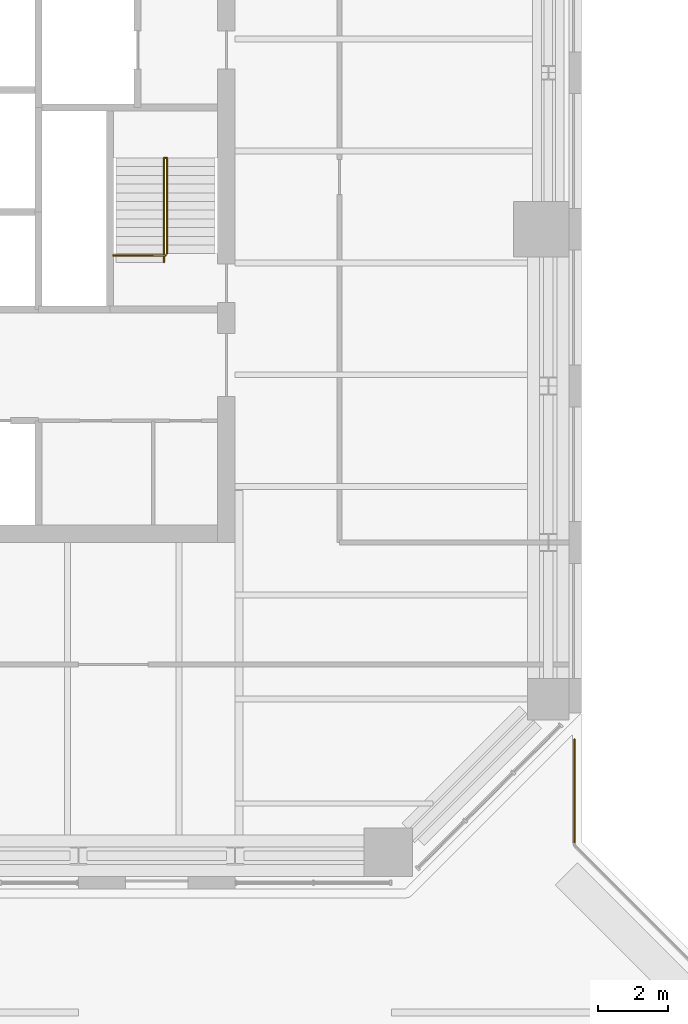
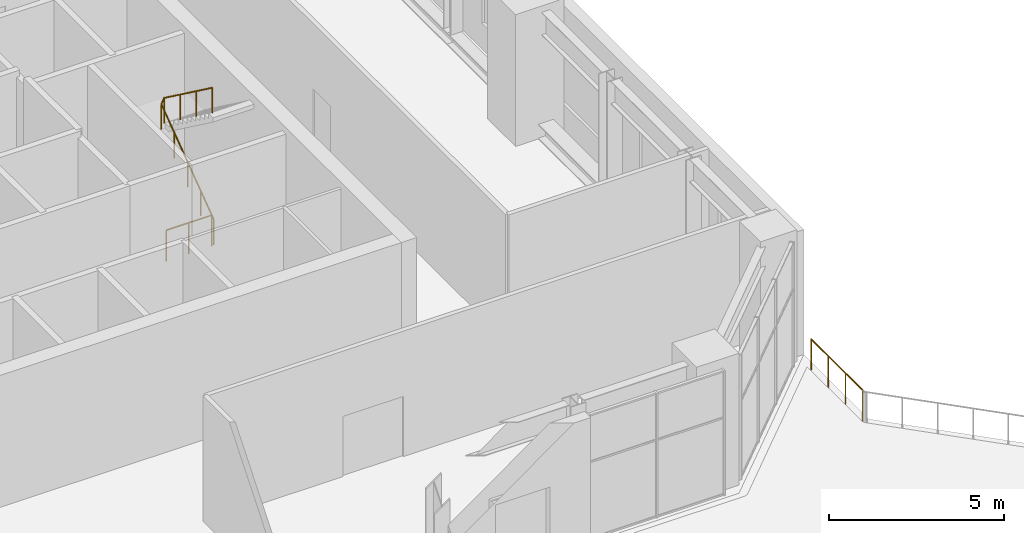
# One storey, part 21 of 21: 3 railings.
"""IFC4 building model written with IfcOpenShell, lengths in metres."""

from ifc_helpers import new_model, si_unit, direction, frame, origin, origin_2d, place, context, subcontext, project, spatial, circle, extrude, material, type_object, element, save


model = new_model("IFC4")

# Units and contexts
model_context = context("Model", 3, precision=1e-05, world=origin(), true_north=direction((0.0, 1.0)))
body_context = subcontext(model_context, "Body", "Model", "MODEL_VIEW")
ifc_project = project(units=[si_unit("LENGTHUNIT", "METRE"), si_unit("AREAUNIT", "SQUARE_METRE"), si_unit("VOLUMEUNIT", "CUBIC_METRE"), si_unit("PLANEANGLEUNIT", "RADIAN"), si_unit("MASSUNIT", "GRAM", prefix="KILO")], contexts=[model_context])

# Site, building, storey
site_placement = place(None, origin())
site = spatial("IfcSite", under=ifc_project, at=site_placement, CompositionType="ELEMENT")
building_placement = place(site_placement, origin())
building = spatial("IfcBuilding", under=site, at=building_placement, Name="Quoin Convention Tower", CompositionType="ELEMENT")
storey_placement = place(building_placement, frame((0.0, 0.0, 18.5)))
storey = spatial("IfcBuildingStorey", under=building, at=storey_placement, Name="L03", CompositionType="ELEMENT", Elevation=18.5)

# Railings
ifc_material = material(Name="Stainless steel", Category="steel")
railing_type_1 = type_object("IfcRailingType", Name="Guard 1100", PredefinedType="GUARDRAIL", material=ifc_material)
railing_1_placement = place(storey_placement, frame((77.25, 43.8408203125, 0.0)))
element("IfcRailing", 1, at=railing_1_placement, inside=storey, type_object=railing_type_1, Name="grd-L03-01-77250_43841", PredefinedType="GUARDRAIL", context=body_context, shape_type="SweptSolid", body=[
    extrude(circle(Radius=0.02392578125, at=origin_2d()), frame((0.0, 0.0, 1.076171875), z_axis=(0.0, -1.0, 0.0), x_axis=(1.0, 0.0, 0.0)), (0.0, 0.0, 1.0), 2.947265625),
    extrude(circle(Radius=0.02099609375, at=origin_2d()), origin(), (0.0, 0.0, 1.0), 1.052001953125),
    extrude(circle(Radius=0.02099609375, at=origin_2d()), frame((0.0, -0.982421875, 0.0)), (0.0, 0.0, 1.0), 1.052001953125),
    extrude(circle(Radius=0.02099609375, at=origin_2d()), frame((0.0, -1.96484375, 0.0)), (0.0, 0.0, 1.0), 1.052001953125),
    extrude(circle(Radius=0.02099609375, at=origin_2d()), frame((0.0, -2.947265625, 0.0)), (0.0, 0.0, 1.0), 1.052001953125),
])
railing_type_2 = type_object("IfcRailingType", Name="Stair handrail 900", PredefinedType="HANDRAIL", material=ifc_material)
railing_2_placement = place(storey_placement, frame((65.455078125, 57.550048828125, 0.18408203125)))
element("IfcRailing", 2, at=railing_2_placement, inside=storey, type_object=railing_type_2, Name="SD2 handrail 1", PredefinedType="HANDRAIL", context=body_context, shape_type="SweptSolid", body=[
    extrude(circle(Radius=0.02392578125, at=origin_2d()), frame((0.0, 0.0, 0.8759765625), z_axis=(0.0, 0.80537860304, 0.592760749177), x_axis=(-1.0, 0.0, 0.0)), (0.0, 0.0, 1.0), 3.724853515625),
    extrude(circle(Radius=0.02392578125, at=origin_2d()), frame((0.0, 3.0, 3.083984375), z_axis=(0.439081728812, 0.0, 0.898447124445), x_axis=(0.0, 1.0, 0.0)), (0.0, 0.0, 1.0), 0.20458984375),
    extrude(circle(Radius=0.02392578125, at=origin_2d()), frame((0.08984375, 3.0, 3.267578125), z_axis=(0.0, -0.805355847101, 0.592791666221), x_axis=(1.0, 0.0, 0.0)), (0.0, 0.0, 1.0), 3.41455078125),
    extrude(circle(Radius=0.02099609375, at=origin_2d()), origin(), (0.0, 0.0, 1.0), 0.851806640625),
    extrude(circle(Radius=0.02099609375, at=origin_2d()), frame((0.0, 0.75, 0.552001953125)), (0.0, 0.0, 1.0), 0.851806640625),
    extrude(circle(Radius=0.02099609375, at=origin_2d()), frame((0.0, 1.5, 1.10400390625)), (0.0, 0.0, 1.0), 0.851806640625),
    extrude(circle(Radius=0.02099609375, at=origin_2d()), frame((0.0, 2.25, 1.656005859375)), (0.0, 0.0, 1.0), 0.851806640625),
    extrude(circle(Radius=0.02099609375, at=origin_2d()), frame((0.0, 3.0, 2.2080078125)), (0.0, 0.0, 1.0), 0.851806640625),
    extrude(circle(Radius=0.02099609375, at=origin_2d()), frame((0.08984375, 3.0, 2.391845703125)), (0.0, 0.0, 1.0), 0.851806640625),
    extrude(circle(Radius=0.02099609375, at=origin_2d()), frame((0.08984375, 2.083251953125, 3.066650390625)), (0.0, 0.0, 1.0), 0.851806640625),
    extrude(circle(Radius=0.02099609375, at=origin_2d()), frame((0.08984375, 1.166748046875, 3.7412109375)), (0.0, 0.0, 1.0), 0.851806640625),
    extrude(circle(Radius=0.02099609375, at=origin_2d()), frame((0.08984375, 0.25, 4.416015625)), (0.0, 0.0, 1.0), 0.851806640625),
])
railing_type_3 = type_object("IfcRailingType", Name="Stair top guard 1100", PredefinedType="GUARDRAIL", material=ifc_material)
railing_3_placement = place(storey_placement, frame((64.0, 57.75, 0.0)))
element("IfcRailing", 3, at=railing_3_placement, inside=storey, type_object=railing_type_3, Name="SD2 top guard", PredefinedType="GUARDRAIL", context=body_context, shape_type="SweptSolid", body=[
    extrude(circle(Radius=0.02392578125, at=origin_2d()), frame((0.0, 0.0, 1.076171875), z_axis=(1.0, 0.0, 0.0), x_axis=(0.0, 1.0, 0.0)), (0.0, 0.0, 1.0), 1.4951171875),
    extrude(circle(Radius=0.02099609375, at=origin_2d()), origin(), (0.0, 0.0, 1.0), 1.052001953125),
    extrude(circle(Radius=0.02099609375, at=origin_2d()), frame((0.74755859375, 0.0, 0.0)), (0.0, 0.0, 1.0), 1.052001953125),
    extrude(circle(Radius=0.02099609375, at=origin_2d()), frame((1.4951171875, 0.0, 0.0)), (0.0, 0.0, 1.0), 1.052001953125),
])

save(model, "model.ifc")
